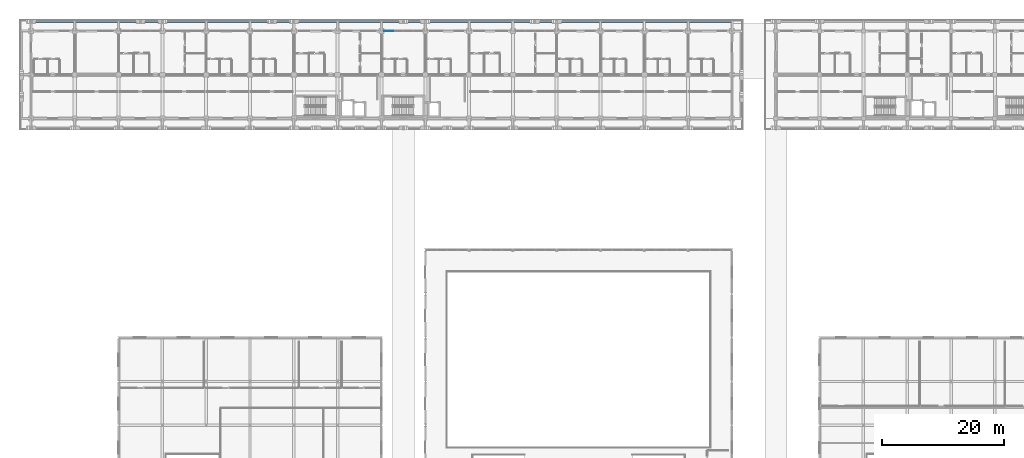
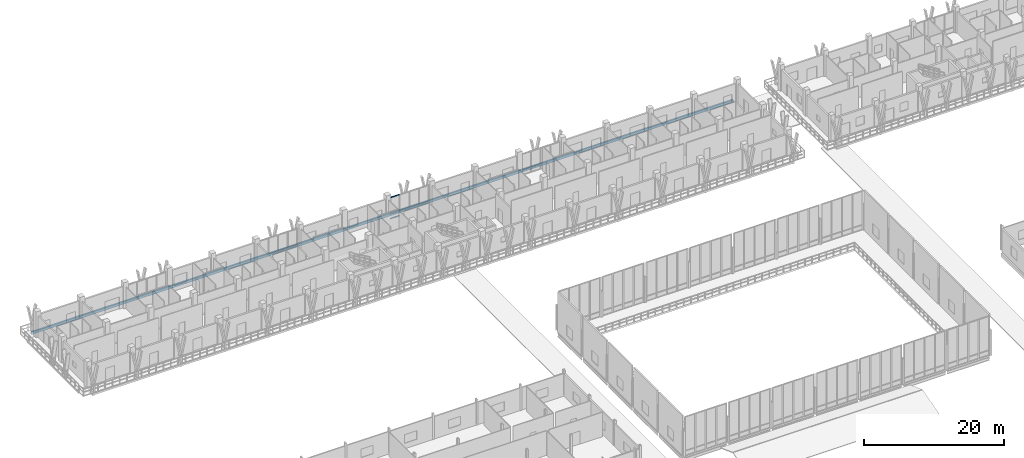
# One storey, part 32 of 110: 3 members, 1 beam, 1 element without a shape of its own.
"""IFC4 building model written with IfcOpenShell, lengths in metres."""

from ifc_helpers import new_model, si_unit, direction, frame, origin, origin_2d, place, context, subcontext, project, spatial, rectangle, hollow_rectangle, extrude, material, material_profile, profile_set, type_object, element, aggregate, save


model = new_model("IFC4")

# Units and contexts
model_context = context("Model", 3, precision=1e-05, world=origin(), true_north=direction((0.0, 1.0)))
body_context = subcontext(model_context, "Body", "Model", "MODEL_VIEW")
ifc_project = project(units=[si_unit("LENGTHUNIT", "METRE"), si_unit("AREAUNIT", "SQUARE_METRE"), si_unit("VOLUMEUNIT", "CUBIC_METRE"), si_unit("PLANEANGLEUNIT", "RADIAN"), si_unit("MASSUNIT", "GRAM", prefix="KILO")], contexts=[model_context])

# Site, building, storey
site_placement = place(None, origin())
site = spatial("IfcSite", under=ifc_project, at=site_placement, CompositionType="ELEMENT")
building_placement = place(site_placement, origin())
building = spatial("IfcBuilding", under=site, at=building_placement, Name="Suanplinth Sawtooth Commons", CompositionType="ELEMENT")
storey_placement = place(building_placement, frame((0.0, 0.0, 4.5)))
storey = spatial("IfcBuildingStorey", under=building, at=storey_placement, Name="L01", CompositionType="ELEMENT", Elevation=4.5)

# Beam
ifc_material_1 = material(Name="Precast concrete C40/50", Category="concrete")
ifc_material_profile_1 = material_profile(ifc_material_1, rectangle(XDim=0.25, YDim=0.449951171875, at=origin_2d()), Name="PC-SP 250x450")
ifc_profile_set_1 = profile_set([ifc_material_profile_1], Name="Precast concrete C40/50")
beam_type = type_object("IfcBeamType", Name="B-09", PredefinedType="SPANDREL", material=ifc_profile_set_1)
beam_placement = place(storey_placement, frame((-0.14990234375, 123.919921875, -0.405029296875), z_axis=(1.0, 0.0, 0.0), x_axis=(0.0, 1.0, 0.0)))
element("IfcBeam", 1, at=beam_placement, inside=storey, type_object=beam_type, Name="Balcony Edge Fascia L01-A-N", PredefinedType="SPANDREL", context=body_context, shape_type="SweptSolid", body=[
    extrude(rectangle(XDim=0.25, YDim=0.449951171875, at=origin_2d()), origin(), (0.0, 0.0, 1.0), 115.5),
])

# Curtain wall, members
ifc_material_2 = material(Name="Anodized aluminium and low-E glazing", Category="aluminium")
curtain_wall_type = type_object("IfcCurtainWallType", Name="CW-06", PredefinedType="USERDEFINED", material=ifc_material_2)
curtain_wall_placement = place(storey_placement, origin())
curtain_wall = element("IfcCurtainWall", 2, at=curtain_wall_placement, inside=storey, type_object=curtain_wall_type, Name="Curtain Wall CW-L01-A-LOUNGE-8", ObjectType="CURTAIN WALL", PredefinedType="USERDEFINED")
ifc_material_3 = material(Name="Anodized aluminium 6063-T6", Category="aluminium")
ifc_material_profile_2 = material_profile(ifc_material_3, hollow_rectangle(XDim=0.06494140625, YDim=0.1201171875, WallThickness=0.00390625, at=origin_2d()), Name="ALU-TRN 65x120")
ifc_profile_set_2 = profile_set([ifc_material_profile_2], Name="Anodized aluminium 6063-T6")
member_type = type_object("IfcMemberType", Name="M-15", PredefinedType="USERDEFINED", material=ifc_profile_set_2)
member_1_placement = place(storey_placement, frame((58.06494140625, 122.39990234375, 0.032470703125), z_axis=(1.0, 0.0, 0.0), x_axis=(0.0, 1.0, 0.0)))
member_1 = element("IfcMember", 3, at=member_1_placement, type_object=member_type, Name="CW-06 transom 1.1", ObjectType="TRANSOM", PredefinedType="USERDEFINED", context=body_context, shape_type="SweptSolid", body=[
    extrude(hollow_rectangle(XDim=0.06494140625, YDim=0.1201171875, WallThickness=0.00390625, at=origin_2d()), origin(), (0.0, 0.0, 1.0), 1.50244140625),
])
member_2_placement = place(storey_placement, frame((58.06494140625, 122.39990234375, 0.89990234375), z_axis=(1.0, 0.0, 0.0), x_axis=(0.0, 1.0, 0.0)))
member_2 = element("IfcMember", 4, at=member_2_placement, type_object=member_type, Name="CW-06 transom 1.2", ObjectType="TRANSOM", PredefinedType="USERDEFINED", context=body_context, shape_type="SweptSolid", body=[
    extrude(hollow_rectangle(XDim=0.06494140625, YDim=0.1201171875, WallThickness=0.00390625, at=origin_2d()), origin(), (0.0, 0.0, 1.0), 1.50244140625),
])
member_3_placement = place(storey_placement, frame((58.06494140625, 122.39990234375, 3.697509765625), z_axis=(1.0, 0.0, 0.0), x_axis=(0.0, 1.0, 0.0)))
member_3 = element("IfcMember", 5, at=member_3_placement, type_object=member_type, Name="CW-06 transom 1.3", ObjectType="TRANSOM", PredefinedType="USERDEFINED", context=body_context, shape_type="SweptSolid", body=[
    extrude(hollow_rectangle(XDim=0.06494140625, YDim=0.1201171875, WallThickness=0.00390625, at=origin_2d()), origin(), (0.0, 0.0, 1.0), 1.50244140625),
])
aggregate(curtain_wall, [member_1, member_2, member_3])

save(model, "model.ifc")
